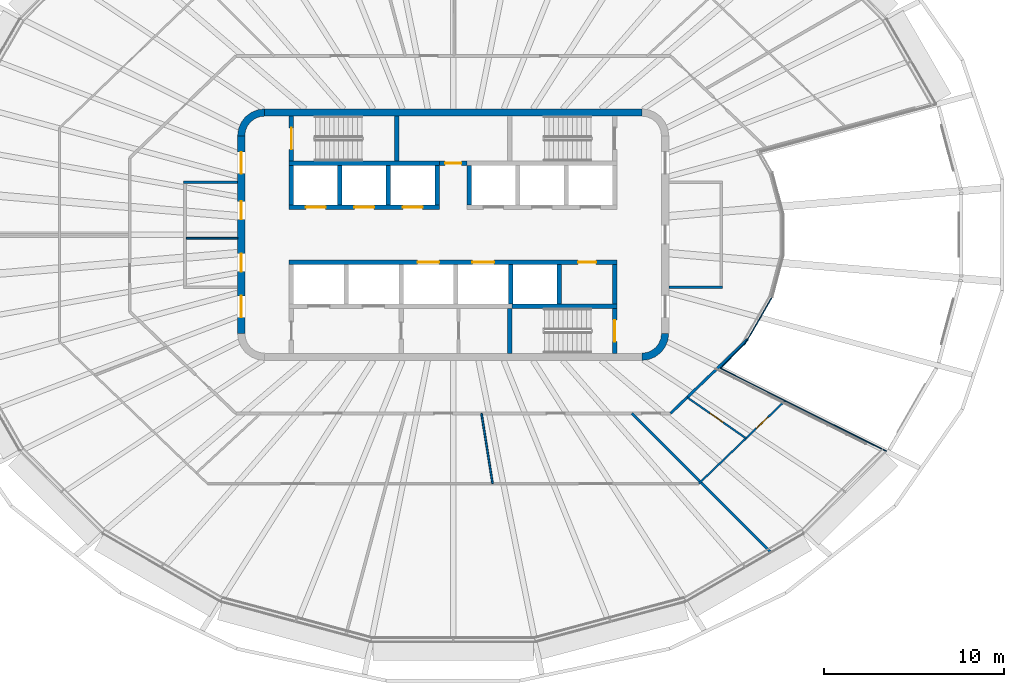
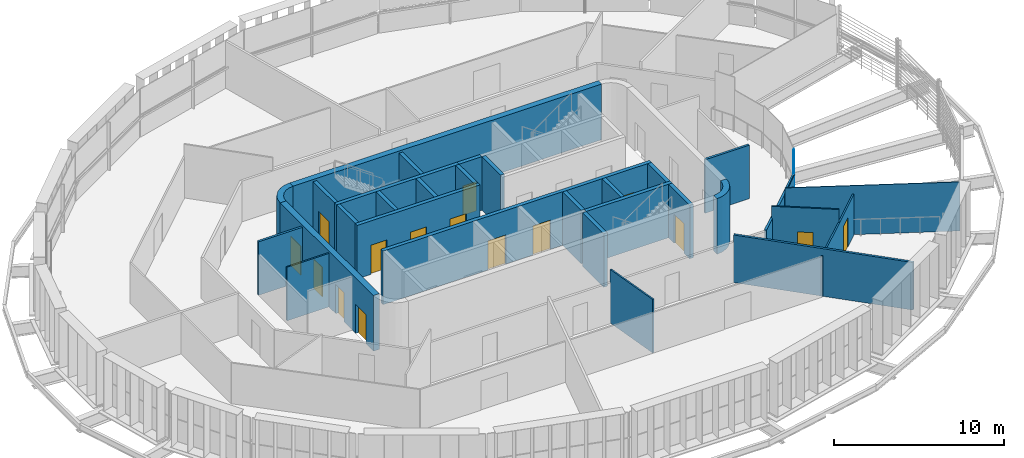
# One storey, part 9 of 17: 32 walls, 15 doors, 15 openings.
"""IFC4 building model written with IfcOpenShell, lengths in metres."""

from ifc_helpers import new_model, si_unit, direction, frame, frame_2d, origin, place, context, subcontext, project, spatial, polyline, rectangle, outline, extrude, material, layer, layer_set, type_object, element, fill, save


model = new_model("IFC4")

# Units and contexts
model_context = context("Model", 3, precision=1e-05, world=origin(), true_north=direction((0.0, 1.0)))
body_context = subcontext(model_context, "Body", "Model", "MODEL_VIEW")
ifc_project = project(units=[si_unit("LENGTHUNIT", "METRE"), si_unit("AREAUNIT", "SQUARE_METRE"), si_unit("VOLUMEUNIT", "CUBIC_METRE"), si_unit("PLANEANGLEUNIT", "RADIAN"), si_unit("MASSUNIT", "GRAM", prefix="KILO")], contexts=[model_context])

# Site, building, storey
site_placement = place(None, origin())
site = spatial("IfcSite", under=ifc_project, at=site_placement, CompositionType="ELEMENT")
building_placement = place(site_placement, origin())
building = spatial("IfcBuilding", under=site, at=building_placement, Name="Sahrelin Media Tower", CompositionType="ELEMENT")
storey_placement = place(building_placement, frame((0.0, 0.0, 291.0)))
storey = spatial("IfcBuildingStorey", under=building, at=storey_placement, Name="L64", CompositionType="ELEMENT", Elevation=291.0)

# Wall
ifc_material_1 = material(Name="Concrete C60/75", Category="concrete")
ifc_layer_1 = layer(ifc_material_1, 0.39990234375)
ifc_layer_set_1 = layer_set([ifc_layer_1], Name="Core wall 400")
wall_type_1 = type_object("IfcWallType", Name="Core wall 400", PredefinedType="SHEAR", material=ifc_layer_set_1)
wall_1_placement = place(storey_placement, frame((-10.5, 6.800048828125, 0.0), z_axis=(0.0, 0.0, 1.0), x_axis=(1.0, 0.0, 0.0)))
element("IfcWall", 1, at=wall_1_placement, inside=storey, type_object=wall_type_1, Name="Core wall N L64", PredefinedType="SHEAR", context=body_context, shape_type="SweptSolid", body=[
    extrude(rectangle(XDim=21.0, YDim=0.39990234375, at=frame_2d((10.5, 0.0))), origin(), (0.0, 0.0, 1.0), 4.0),
])

# Wall, openings, doors
wall_2_placement = place(storey_placement, frame((-11.800048828125, -5.5, 0.0), z_axis=(0.0, 0.0, 1.0), x_axis=(0.0, 1.0, 0.0)))
wall_2 = element("IfcWall", 2, at=wall_2_placement, inside=storey, type_object=wall_type_1, Name="Core wall W L64", PredefinedType="SHEAR", context=body_context, shape_type="SweptSolid", body=[
    extrude(rectangle(XDim=11.0, YDim=0.39990234375, at=frame_2d((5.5, 0.0))), origin(), (0.0, 0.0, 1.0), 4.0),
])
opening_1_placement = place(wall_2_placement, frame((3.449951171875, 0.0, 0.0)))
opening_1 = element("IfcOpeningElement", 3, at=opening_1_placement, cuts=wall_2, Name="Opening L64-D09", PredefinedType="OPENING", context=body_context, shape_type="SweptSolid", body=[
    extrude(rectangle(XDim=1.0, YDim=2.10009765625, at=frame_2d((0.5, 1.050048828125))), frame((0.0, 0.199951171875, 0.0), z_axis=(0.0, -1.0, 0.0), x_axis=(1.0, 0.0, 0.0)), (0.0, 0.0, 1.0), 0.39990234375),
])
opening_2_placement = place(wall_2_placement, frame((6.35009765625, 0.0, 0.0)))
opening_2 = element("IfcOpeningElement", 4, at=opening_2_placement, cuts=wall_2, Name="Opening L64-D10", PredefinedType="OPENING", context=body_context, shape_type="SweptSolid", body=[
    extrude(rectangle(XDim=1.0, YDim=2.10009765625, at=frame_2d((0.5, 1.050048828125))), frame((0.0, 0.199951171875, 0.0), z_axis=(0.0, -1.0, 0.0), x_axis=(1.0, 0.0, 0.0)), (0.0, 0.0, 1.0), 0.39990234375),
])
opening_3_placement = place(wall_2_placement, frame((0.89990234375, 0.0, 0.0)))
opening_3 = element("IfcOpeningElement", 5, at=opening_3_placement, cuts=wall_2, Name="Opening L64-D12", PredefinedType="OPENING", context=body_context, shape_type="SweptSolid", body=[
    extrude(rectangle(XDim=1.199951171875, YDim=2.10009765625, at=frame_2d((0.60009765625, 1.050048828125))), frame((0.0, 0.199951171875, 0.0), z_axis=(0.0, -1.0, 0.0), x_axis=(1.0, 0.0, 0.0)), (0.0, 0.0, 1.0), 0.39990234375),
])
opening_4_placement = place(wall_2_placement, frame((8.89990234375, 0.0, 0.0)))
opening_4 = element("IfcOpeningElement", 6, at=opening_4_placement, cuts=wall_2, Name="Opening L64-D13", PredefinedType="OPENING", context=body_context, shape_type="SweptSolid", body=[
    extrude(rectangle(XDim=1.199951171875, YDim=2.10009765625, at=frame_2d((0.60009765625, 1.050048828125))), frame((0.0, 0.199951171875, 0.0), z_axis=(0.0, -1.0, 0.0), x_axis=(1.0, 0.0, 0.0)), (0.0, 0.0, 1.0), 0.39990234375),
])
ifc_material_2 = material(Name="Steel fire door leaf", Category="steel")
door_type_1 = type_object("IfcDoorType", Name="Fire door 1000 x 2100 EI 60", OperationType="NOTDEFINED", PredefinedType="DOOR", material=ifc_material_2)
door_1_placement = place(opening_1_placement, origin())
door_1 = element("IfcDoor", 7, at=door_1_placement, inside=storey, type_object=door_type_1, Name="Core room door", OperationType="SINGLE_SWING_RIGHT", OverallHeight=2.10009765625, OverallWidth=1.0, PredefinedType="DOOR", context=body_context, shape_type="SweptSolid", body=[
    extrude(rectangle(XDim=1.0, YDim=2.10009765625, at=frame_2d((0.5, 1.050048828125))), frame((0.0, 0.02490234375, 0.0), z_axis=(0.0, -1.0, 0.0), x_axis=(1.0, 0.0, 0.0)), (0.0, 0.0, 1.0), 0.050048828125),
])
fill(opening_1, door_1)
door_2_placement = place(opening_2_placement, origin())
door_2 = element("IfcDoor", 8, at=door_2_placement, inside=storey, type_object=door_type_1, Name="Core room door", OperationType="SINGLE_SWING_RIGHT", OverallHeight=2.10009765625, OverallWidth=1.0, PredefinedType="DOOR", context=body_context, shape_type="SweptSolid", body=[
    extrude(rectangle(XDim=1.0, YDim=2.10009765625, at=frame_2d((0.5, 1.050048828125))), frame((0.0, 0.02490234375, 0.0), z_axis=(0.0, -1.0, 0.0), x_axis=(1.0, 0.0, 0.0)), (0.0, 0.0, 1.0), 0.050048828125),
])
fill(opening_2, door_2)
door_type_2 = type_object("IfcDoorType", Name="Lobby door 1200 x 2100 EI 60", OperationType="NOTDEFINED", PredefinedType="DOOR", material=ifc_material_2)
door_3_placement = place(opening_3_placement, origin())
door_3 = element("IfcDoor", 9, at=door_3_placement, inside=storey, type_object=door_type_2, Name="Lobby door", OperationType="SINGLE_SWING_LEFT", OverallHeight=2.10009765625, OverallWidth=1.199951171875, PredefinedType="DOOR", context=body_context, shape_type="SweptSolid", body=[
    extrude(rectangle(XDim=1.199951171875, YDim=2.10009765625, at=frame_2d((0.60009765625, 1.050048828125))), frame((0.0, 0.02490234375, 0.0), z_axis=(0.0, -1.0, 0.0), x_axis=(1.0, 0.0, 0.0)), (0.0, 0.0, 1.0), 0.050048828125),
])
fill(opening_3, door_3)
door_4_placement = place(opening_4_placement, origin())
door_4 = element("IfcDoor", 10, at=door_4_placement, inside=storey, type_object=door_type_2, Name="Lobby door", OperationType="SINGLE_SWING_LEFT", OverallHeight=2.10009765625, OverallWidth=1.199951171875, PredefinedType="DOOR", context=body_context, shape_type="SweptSolid", body=[
    extrude(rectangle(XDim=1.199951171875, YDim=2.10009765625, at=frame_2d((0.60009765625, 1.050048828125))), frame((0.0, 0.02490234375, 0.0), z_axis=(0.0, -1.0, 0.0), x_axis=(1.0, 0.0, 0.0)), (0.0, 0.0, 1.0), 0.050048828125),
])
fill(opening_4, door_4)

# Walls
placement = place(storey_placement, origin())
element("IfcWall", 11, at=placement, inside=storey, type_object=wall_type_1, Name="Core wall corner NW L64", PredefinedType="SHEAR", context=body_context, shape_type="SweptSolid", body=[
    extrude(outline(polyline([(-12.0, 5.5), (-11.596435546875, 5.5), (-11.55908203125, 5.78369140625), (-11.44970703125, 6.04833984375), (-11.275390625, 6.275390625), (-11.04833984375, 6.44970703125), (-10.78369140625, 6.55908203125), (-10.5, 6.596435546875), (-10.5, 7.0), (-10.88818359375, 6.948974609375), (-11.25, 6.799072265625), (-11.560791015625, 6.560791015625), (-11.799072265625, 6.25), (-11.948974609375, 5.88818359375), (-12.0, 5.5)])), origin(), (0.0, 0.0, 1.0), 4.0),
])
element("IfcWall", 12, at=placement, inside=storey, type_object=wall_type_1, Name="Core wall corner SE L64", PredefinedType="SHEAR", context=body_context, shape_type="SweptSolid", body=[
    extrude(outline(polyline([(12.0, -5.5), (11.596435546875, -5.5), (11.55908203125, -5.78369140625), (11.44970703125, -6.04833984375), (11.275390625, -6.275390625), (11.04833984375, -6.44970703125), (10.78369140625, -6.55908203125), (10.5, -6.596435546875), (10.5, -7.0), (10.88818359375, -6.948974609375), (11.25, -6.799072265625), (11.560791015625, -6.560791015625), (11.799072265625, -6.25), (11.948974609375, -5.88818359375), (12.0, -5.5)])), origin(), (0.0, 0.0, 1.0), 4.0),
])

# Wall, opening, door
ifc_material_3 = material(Name="Fire-rated gypsum board partition")
ifc_layer_2 = layer(ifc_material_3, 0.25)
ifc_layer_set_2 = layer_set([ifc_layer_2], Name="Fire-rated lobby wall 250")
wall_type_2 = type_object("IfcWallType", Name="Fire-rated lobby wall 250", PredefinedType="PARTITIONING", material=ifc_layer_set_2)
wall_5_placement = place(storey_placement, frame((-0.77490234375, 3.97509765625, 0.0), z_axis=(0.0, 0.0, 1.0), x_axis=(1.0, 0.0, 0.0)))
wall_5 = element("IfcWall", 13, at=wall_5_placement, inside=storey, type_object=wall_type_2, Name="Core lobby wall", PredefinedType="PARTITIONING", context=body_context, shape_type="SweptSolid", body=[
    extrude(rectangle(XDim=1.5498046875, YDim=0.25, at=frame_2d((0.77490234375, 0.0))), origin(), (0.0, 0.0, 1.0), 3.85009765625),
])
opening_5_placement = place(wall_5_placement, frame((0.324951171875, 0.0, 0.0)))
opening_5 = element("IfcOpeningElement", 14, at=opening_5_placement, cuts=wall_5, Name="Opening L64-D06", PredefinedType="OPENING", context=body_context, shape_type="SweptSolid", body=[
    extrude(rectangle(XDim=0.89990234375, YDim=2.10009765625, at=frame_2d((0.449951171875, 1.050048828125))), frame((0.0, 0.125, 0.0), z_axis=(0.0, -1.0, 0.0), x_axis=(1.0, 0.0, 0.0)), (0.0, 0.0, 1.0), 0.25),
])
door_type_3 = type_object("IfcDoorType", Name="Riser door 900 x 2100 EI 120", OperationType="NOTDEFINED", PredefinedType="DOOR", material=ifc_material_2)
door_5_placement = place(opening_5_placement, origin())
door_5 = element("IfcDoor", 15, at=door_5_placement, inside=storey, type_object=door_type_3, Name="Core room door", OperationType="SINGLE_SWING_LEFT", OverallHeight=2.10009765625, OverallWidth=0.89990234375, PredefinedType="DOOR", context=body_context, shape_type="SweptSolid", body=[
    extrude(rectangle(XDim=0.89990234375, YDim=2.10009765625, at=frame_2d((0.449951171875, 1.050048828125))), frame((0.0, 0.02490234375, 0.0), z_axis=(0.0, -1.0, 0.0), x_axis=(1.0, 0.0, 0.0)), (0.0, 0.0, 1.0), 0.050048828125),
])
fill(opening_5, door_5)

# Walls
ifc_layer_3 = layer(ifc_material_3, 0.10009765625)
ifc_layer_set_3 = layer_set([ifc_layer_3], Name="Fire-rated partition 100")
wall_type_3 = type_object("IfcWallType", Name="Fire-rated partition 100", PredefinedType="PARTITIONING", material=ifc_layer_set_3)
wall_6_placement = place(storey_placement, frame((-14.85009765625, -0.199951171875, 0.0), z_axis=(0.0, 0.0, 1.0), x_axis=(1.0, 0.0, 0.0)))
element("IfcWall", 16, at=wall_6_placement, inside=storey, type_object=wall_type_3, Name="Core room partition", PredefinedType="PARTITIONING", context=body_context, shape_type="SweptSolid", body=[
    extrude(rectangle(XDim=2.85009765625, YDim=0.10009765625, at=frame_2d((1.425048828125, 0.0))), origin(), (0.0, 0.0, 1.0), 3.85009765625),
])
ifc_layer_4 = layer(ifc_material_3, 0.14990234375)
ifc_layer_set_4 = layer_set([ifc_layer_4], Name="Fire-rated partition 150")
wall_type_4 = type_object("IfcWallType", Name="Fire-rated partition 150", PredefinedType="PARTITIONING", material=ifc_layer_set_4)
for number, where, z_axis, x_axis, name in (
    (17, (-15.0, 2.925048828125, 0.0), (0.0, 0.0, 1.0), (1.0, 0.0, 0.0), "Core room fire partition"),
    (18, (12.0, -2.925048828125, 0.0), (0.0, 0.0, 1.0), (1.0, 0.0, 0.0), "Core room fire partition"),
):
    element("IfcWall", number, at=place(storey_placement, frame(where, z_axis=z_axis, x_axis=x_axis)), inside=storey, type_object=wall_type_4, Name=name, PredefinedType="PARTITIONING", context=body_context, shape_type="SweptSolid", body=[
        extrude(rectangle(XDim=3.0, YDim=0.14990234375, at=frame_2d((1.5, 0.0))), origin(), (0.0, 0.0, 1.0), 3.85009765625),
    ])
wall_7_placement = place(storey_placement, frame((9.948974609375, -9.948974609375, 0.0), z_axis=(0.0, 0.0, 1.0), x_axis=(0.707106781187, -0.707106781187, 0.0)))
element("IfcWall", 19, at=wall_7_placement, inside=storey, type_object=wall_type_4, Name="Wall", PredefinedType="PARTITIONING", context=body_context, shape_type="SweptSolid", body=[
    extrude(rectangle(XDim=10.9501953125, YDim=0.14990234375, at=frame_2d((5.47509765625, 0.0))), origin(), (0.0, 0.0, 1.0), 3.423583984375),
])
wall_8_placement = place(storey_placement, frame((12.094970703125, -9.948974609375, 0.0), z_axis=(0.0, 0.0, 1.0), x_axis=(0.721166452556, 0.692761826105, 0.0)))
element("IfcWall", 20, at=wall_8_placement, inside=storey, type_object=wall_type_4, Name="Wall", PredefinedType="PARTITIONING", context=body_context, shape_type="SweptSolid", body=[
    extrude(rectangle(XDim=5.965087890625, YDim=0.14990234375, at=frame_2d((2.982421875, 0.0))), origin(), (0.0, 0.0, 1.0), 2.9951171875),
])
ifc_material_4 = material(Name="Clear glass", Category="glass")
ifc_layer_5 = layer(ifc_material_4, 0.050048828125)
ifc_layer_set_5 = layer_set([ifc_layer_5], Name="Glazed partition 50")
wall_type_5 = type_object("IfcWallType", Name="Glazed partition 50", PredefinedType="PARTITIONING", material=ifc_layer_set_5)
wall_9_placement = place(storey_placement, frame((14.87109375, -7.43798828125, 0.0), z_axis=(0.0, 0.0, 1.0), x_axis=(0.894365735238, -0.447336485918, 0.0)))
element("IfcWall", 21, at=wall_9_placement, inside=storey, type_object=wall_type_5, Name="Wall", PredefinedType="PARTITIONING", context=body_context, shape_type="SweptSolid", body=[
    extrude(rectangle(XDim=10.330322265625, YDim=0.050048828125, at=frame_2d((5.1650390625, 0.0))), origin(), (0.0, 0.0, 1.0), 3.526611328125),
])
wall_10_placement = place(storey_placement, frame((14.87109375, -7.43798828125, 0.0), z_axis=(0.0, 0.0, 1.0), x_axis=(0.707106781187, 0.707106781187, 0.0)))
element("IfcWall", 22, at=wall_10_placement, inside=storey, type_object=wall_type_5, Name="Wall", PredefinedType="PARTITIONING", context=body_context, shape_type="SweptSolid", body=[
    extrude(rectangle(XDim=1.9755859375, YDim=0.050048828125, at=frame_2d((0.98779296875, 0.0))), origin(), (0.0, 0.0, 1.0), 3.075927734375),
])
wall_11_placement = place(storey_placement, frame((16.267822265625, -6.041015625, 0.0), z_axis=(0.0, 0.0, 1.0), x_axis=(0.499803184433, 0.86613900549, 0.0)))
element("IfcWall", 23, at=wall_11_placement, inside=storey, type_object=wall_type_5, Name="Wall", PredefinedType="PARTITIONING", context=body_context, shape_type="SweptSolid", body=[
    extrude(rectangle(XDim=2.967041015625, YDim=0.050048828125, at=frame_2d((1.4833984375, 0.0))), origin(), (0.0, 0.0, 1.0), 2.927001953125),
])

# Wall, openings, doors
ifc_layer_6 = layer(ifc_material_1, 0.25)
ifc_layer_set_6 = layer_set([ifc_layer_6], Name="Lift shaft wall 250")
wall_type_6 = type_object("IfcWallType", Name="Lift shaft wall 250", PredefinedType="SOLIDWALL", material=ifc_layer_set_6)
wall_12_placement = place(storey_placement, frame((-9.125, 1.52490234375, 0.0), z_axis=(0.0, 0.0, 1.0), x_axis=(1.0, 0.0, 0.0)))
wall_12 = element("IfcWall", 24, at=wall_12_placement, inside=storey, type_object=wall_type_6, Name="Lift shaft wall", PredefinedType="SOLIDWALL", context=body_context, shape_type="SweptSolid", body=[
    extrude(rectangle(XDim=8.35009765625, YDim=0.25, at=frame_2d((4.175048828125, 0.0))), origin(), (0.0, 0.0, 1.0), 3.85009765625),
])
opening_6_placement = place(wall_12_placement, frame((0.925048828125, 0.0, 0.0)))
opening_6 = element("IfcOpeningElement", 25, at=opening_6_placement, cuts=wall_12, Name="Opening L64-LD-HR1", PredefinedType="OPENING", context=body_context, shape_type="SweptSolid", body=[
    extrude(rectangle(XDim=1.10009765625, YDim=2.10009765625, at=frame_2d((0.550048828125, 1.050048828125))), frame((0.0, 0.125, 0.0), z_axis=(0.0, -1.0, 0.0), x_axis=(1.0, 0.0, 0.0)), (0.0, 0.0, 1.0), 0.25),
])
opening_7_placement = place(wall_12_placement, frame((3.625, 0.0, 0.0)))
opening_7 = element("IfcOpeningElement", 26, at=opening_7_placement, cuts=wall_12, Name="Opening L64-LD-HR2", PredefinedType="OPENING", context=body_context, shape_type="SweptSolid", body=[
    extrude(rectangle(XDim=1.10009765625, YDim=2.10009765625, at=frame_2d((0.550048828125, 1.050048828125))), frame((0.0, 0.125, 0.0), z_axis=(0.0, -1.0, 0.0), x_axis=(1.0, 0.0, 0.0)), (0.0, 0.0, 1.0), 0.25),
])
opening_8_placement = place(wall_12_placement, frame((6.324951171875, 0.0, 0.0)))
opening_8 = element("IfcOpeningElement", 27, at=opening_8_placement, cuts=wall_12, Name="Opening L64-LD-HR3", PredefinedType="OPENING", context=body_context, shape_type="SweptSolid", body=[
    extrude(rectangle(XDim=1.10009765625, YDim=2.10009765625, at=frame_2d((0.550048828125, 1.050048828125))), frame((0.0, 0.125, 0.0), z_axis=(0.0, -1.0, 0.0), x_axis=(1.0, 0.0, 0.0)), (0.0, 0.0, 1.0), 0.25),
])
ifc_material_5 = material(Name="Stainless steel", Category="steel")
door_type_4 = type_object("IfcDoorType", Name="Lift landing door 1100 x 2100 EI 120", OperationType="DOUBLE_DOOR_SLIDING", PredefinedType="DOOR", material=ifc_material_5)
door_6_placement = place(opening_6_placement, origin())
door_6 = element("IfcDoor", 28, at=door_6_placement, inside=storey, type_object=door_type_4, Name="Lift landing door HR1", OperationType="DOUBLE_DOOR_SLIDING", OverallHeight=2.10009765625, OverallWidth=1.10009765625, PredefinedType="DOOR", context=body_context, shape_type="SweptSolid", body=[
    extrude(rectangle(XDim=1.10009765625, YDim=2.10009765625, at=frame_2d((0.550048828125, 1.050048828125))), frame((0.0, 0.02490234375, 0.0), z_axis=(0.0, -1.0, 0.0), x_axis=(1.0, 0.0, 0.0)), (0.0, 0.0, 1.0), 0.050048828125),
])
fill(opening_6, door_6)
door_7_placement = place(opening_7_placement, origin())
door_7 = element("IfcDoor", 29, at=door_7_placement, inside=storey, type_object=door_type_4, Name="Lift landing door HR2", OperationType="DOUBLE_DOOR_SLIDING", OverallHeight=2.10009765625, OverallWidth=1.10009765625, PredefinedType="DOOR", context=body_context, shape_type="SweptSolid", body=[
    extrude(rectangle(XDim=1.10009765625, YDim=2.10009765625, at=frame_2d((0.550048828125, 1.050048828125))), frame((0.0, 0.02490234375, 0.0), z_axis=(0.0, -1.0, 0.0), x_axis=(1.0, 0.0, 0.0)), (0.0, 0.0, 1.0), 0.050048828125),
])
fill(opening_7, door_7)
door_8_placement = place(opening_8_placement, origin())
door_8 = element("IfcDoor", 30, at=door_8_placement, inside=storey, type_object=door_type_4, Name="Lift landing door HR3", OperationType="DOUBLE_DOOR_SLIDING", OverallHeight=2.10009765625, OverallWidth=1.10009765625, PredefinedType="DOOR", context=body_context, shape_type="SweptSolid", body=[
    extrude(rectangle(XDim=1.10009765625, YDim=2.10009765625, at=frame_2d((0.550048828125, 1.050048828125))), frame((0.0, 0.02490234375, 0.0), z_axis=(0.0, -1.0, 0.0), x_axis=(1.0, 0.0, 0.0)), (0.0, 0.0, 1.0), 0.050048828125),
])
fill(opening_8, door_8)

# Walls
wall_13_placement = place(storey_placement, frame((-9.125, 3.97509765625, 0.0), z_axis=(0.0, 0.0, 1.0), x_axis=(1.0, 0.0, 0.0)))
element("IfcWall", 31, at=wall_13_placement, inside=storey, type_object=wall_type_6, Name="Lift shaft wall", PredefinedType="SOLIDWALL", context=body_context, shape_type="SweptSolid", body=[
    extrude(rectangle(XDim=8.35009765625, YDim=0.25, at=frame_2d((4.175048828125, 0.0))), origin(), (0.0, 0.0, 1.0), 3.85009765625),
])
for number, where, z_axis, x_axis, name in (
    (32, (-9.0, 1.64990234375, 0.0), (0.0, 0.0, 1.0), (0.0, 1.0, 0.0), "Lift shaft wall"),
    (33, (-6.300048828125, 1.64990234375, 0.0), (0.0, 0.0, 1.0), (0.0, 1.0, 0.0), "Lift shaft wall"),
    (34, (-3.60009765625, 1.64990234375, 0.0), (0.0, 0.0, 1.0), (0.0, 1.0, 0.0), "Lift shaft wall"),
    (35, (-0.89990234375, 1.64990234375, 0.0), (0.0, 0.0, 1.0), (0.0, 1.0, 0.0), "Lift shaft wall"),
    (36, (0.89990234375, 1.64990234375, 0.0), (0.0, 0.0, 1.0), (0.0, 1.0, 0.0), "Lift shaft wall"),
):
    element("IfcWall", number, at=place(storey_placement, frame(where, z_axis=z_axis, x_axis=x_axis)), inside=storey, type_object=wall_type_6, Name=name, PredefinedType="SOLIDWALL", context=body_context, shape_type="SweptSolid", body=[
        extrude(rectangle(XDim=2.2001953125, YDim=0.25, at=frame_2d((1.10009765625, 0.0))), origin(), (0.0, 0.0, 1.0), 3.85009765625),
    ])

# Wall, openings, doors
wall_14_placement = place(storey_placement, frame((-9.125, -1.52490234375, 0.0), z_axis=(0.0, 0.0, 1.0), x_axis=(1.0, 0.0, 0.0)))
wall_14 = element("IfcWall", 37, at=wall_14_placement, inside=storey, type_object=wall_type_6, Name="Lift shaft wall", PredefinedType="SOLIDWALL", context=body_context, shape_type="SweptSolid", body=[
    extrude(rectangle(XDim=18.25, YDim=0.25, at=frame_2d((9.125, 0.0))), origin(), (0.0, 0.0, 1.0), 3.85009765625),
])
opening_9_placement = place(wall_14_placement, frame((7.14990234375, 0.0, 0.0)))
opening_9 = element("IfcOpeningElement", 38, at=opening_9_placement, cuts=wall_14, Name="Opening L64-LD-SV1", PredefinedType="OPENING", context=body_context, shape_type="SweptSolid", body=[
    extrude(rectangle(XDim=1.199951171875, YDim=2.10009765625, at=frame_2d((0.60009765625, 1.050048828125))), frame((0.0, 0.125, 0.0), z_axis=(0.0, -1.0, 0.0), x_axis=(1.0, 0.0, 0.0)), (0.0, 0.0, 1.0), 0.25),
])
opening_10_placement = place(wall_14_placement, frame((10.199951171875, 0.0, 0.0)))
opening_10 = element("IfcOpeningElement", 39, at=opening_10_placement, cuts=wall_14, Name="Opening L64-LD-SV2", PredefinedType="OPENING", context=body_context, shape_type="SweptSolid", body=[
    extrude(rectangle(XDim=1.199951171875, YDim=2.10009765625, at=frame_2d((0.60009765625, 1.050048828125))), frame((0.0, 0.125, 0.0), z_axis=(0.0, -1.0, 0.0), x_axis=(1.0, 0.0, 0.0)), (0.0, 0.0, 1.0), 0.25),
])
opening_11_placement = place(wall_14_placement, frame((16.074951171875, 0.0, 0.0)))
opening_11 = element("IfcOpeningElement", 40, at=opening_11_placement, cuts=wall_14, Name="Opening L64-D08", PredefinedType="OPENING", context=body_context, shape_type="SweptSolid", body=[
    extrude(rectangle(XDim=1.0, YDim=2.10009765625, at=frame_2d((0.5, 1.050048828125))), frame((0.0, 0.125, 0.0), z_axis=(0.0, -1.0, 0.0), x_axis=(1.0, 0.0, 0.0)), (0.0, 0.0, 1.0), 0.25),
])
door_9_placement = place(opening_11_placement, origin())
door_9 = element("IfcDoor", 41, at=door_9_placement, inside=storey, type_object=door_type_1, Name="Core room door", OperationType="SINGLE_SWING_RIGHT", OverallHeight=2.10009765625, OverallWidth=1.0, PredefinedType="DOOR", context=body_context, shape_type="SweptSolid", body=[
    extrude(rectangle(XDim=1.0, YDim=2.10009765625, at=frame_2d((0.5, 1.050048828125))), frame((0.0, 0.02490234375, 0.0), z_axis=(0.0, -1.0, 0.0), x_axis=(1.0, 0.0, 0.0)), (0.0, 0.0, 1.0), 0.050048828125),
])
fill(opening_11, door_9)
door_type_5 = type_object("IfcDoorType", Name="Lift landing door 1200 x 2100 EI 120", OperationType="DOUBLE_DOOR_SLIDING", PredefinedType="DOOR", material=ifc_material_5)
door_10_placement = place(opening_9_placement, origin())
door_10 = element("IfcDoor", 42, at=door_10_placement, inside=storey, type_object=door_type_5, Name="Lift landing door SV1", OperationType="DOUBLE_DOOR_SLIDING", OverallHeight=2.10009765625, OverallWidth=1.199951171875, PredefinedType="DOOR", context=body_context, shape_type="SweptSolid", body=[
    extrude(rectangle(XDim=1.199951171875, YDim=2.10009765625, at=frame_2d((0.60009765625, 1.050048828125))), frame((0.0, 0.02490234375, 0.0), z_axis=(0.0, -1.0, 0.0), x_axis=(1.0, 0.0, 0.0)), (0.0, 0.0, 1.0), 0.050048828125),
])
fill(opening_9, door_10)
door_11_placement = place(opening_10_placement, origin())
door_11 = element("IfcDoor", 43, at=door_11_placement, inside=storey, type_object=door_type_5, Name="Lift landing door SV2", OperationType="DOUBLE_DOOR_SLIDING", OverallHeight=2.10009765625, OverallWidth=1.199951171875, PredefinedType="DOOR", context=body_context, shape_type="SweptSolid", body=[
    extrude(rectangle(XDim=1.199951171875, YDim=2.10009765625, at=frame_2d((0.60009765625, 1.050048828125))), frame((0.0, 0.02490234375, 0.0), z_axis=(0.0, -1.0, 0.0), x_axis=(1.0, 0.0, 0.0)), (0.0, 0.0, 1.0), 0.050048828125),
])
fill(opening_10, door_11)

# Walls
wall_15_placement = place(storey_placement, frame((3.27490234375, -3.97509765625, 0.0), z_axis=(0.0, 0.0, 1.0), x_axis=(1.0, 0.0, 0.0)))
element("IfcWall", 44, at=wall_15_placement, inside=storey, type_object=wall_type_6, Name="Lift shaft wall", PredefinedType="SOLIDWALL", context=body_context, shape_type="SweptSolid", body=[
    extrude(rectangle(XDim=5.85009765625, YDim=0.25, at=frame_2d((2.925048828125, 0.0))), origin(), (0.0, 0.0, 1.0), 3.85009765625),
])
for number, where, z_axis, x_axis, name in (
    (45, (3.199951171875, -3.85009765625, 0.0), (0.0, 0.0, 1.0), (0.0, 1.0, 0.0), "Lift shaft wall"),
    (46, (5.89990234375, -3.85009765625, 0.0), (0.0, 0.0, 1.0), (0.0, 1.0, 0.0), "Lift shaft wall"),
    (47, (9.0, -3.85009765625, 0.0), (0.0, 0.0, 1.0), (0.0, 1.0, 0.0), "Lift shaft wall"),
):
    element("IfcWall", number, at=place(storey_placement, frame(where, z_axis=z_axis, x_axis=x_axis)), inside=storey, type_object=wall_type_6, Name=name, PredefinedType="SOLIDWALL", context=body_context, shape_type="SweptSolid", body=[
        extrude(rectangle(XDim=2.2001953125, YDim=0.25, at=frame_2d((1.10009765625, 0.0))), origin(), (0.0, 0.0, 1.0), 3.85009765625),
    ])
ifc_material_6 = material(Name="Gypsum board partition")
ifc_layer_7 = layer(ifc_material_6, 0.10009765625)
ifc_layer_set_7 = layer_set([ifc_layer_7], Name="Partition 100")
wall_type_7 = type_object("IfcWallType", Name="Partition 100", PredefinedType="PARTITIONING", material=ifc_layer_set_7)
wall_16_placement = place(storey_placement, frame((1.575927734375, -9.948974609375, 0.0), z_axis=(0.0, 0.0, 1.0), x_axis=(0.156402769976, -0.987693360079, 0.0)))
element("IfcWall", 48, at=wall_16_placement, inside=storey, type_object=wall_type_7, Name="Wall", PredefinedType="PARTITIONING", context=body_context, shape_type="SweptSolid", body=[
    extrude(rectangle(XDim=3.958740234375, YDim=0.10009765625, at=frame_2d((1.9794921875, 0.0))), origin(), (0.0, 0.0, 1.0), 3.85009765625),
])

# Wall, opening, door
wall_17_placement = place(storey_placement, frame((13.02392578125, -9.055908203125, 0.0), z_axis=(0.0, 0.0, 1.0), x_axis=(0.820973820669, -0.570965835909, 0.0)))
wall_17 = element("IfcWall", 49, at=wall_17_placement, inside=storey, type_object=wall_type_7, Name="Wall", PredefinedType="PARTITIONING", context=body_context, shape_type="SweptSolid", body=[
    extrude(rectangle(XDim=3.988037109375, YDim=0.10009765625, at=frame_2d((1.994140625, 0.0))), origin(), (0.0, 0.0, 1.0), 3.85009765625),
])
opening_12_placement = place(wall_17_placement, frame((1.5439453125, 0.0, 0.0)))
opening_12 = element("IfcOpeningElement", 50, at=opening_12_placement, cuts=wall_17, Name="Opening L64-D19", PredefinedType="OPENING", context=body_context, shape_type="SweptSolid", body=[
    extrude(rectangle(XDim=0.89990234375, YDim=2.10009765625, at=frame_2d((0.449951171875, 1.050048828125))), frame((0.0, 0.050048828125, 0.0), z_axis=(0.0, -1.0, 0.0), x_axis=(1.0, 0.0, 0.0)), (0.0, 0.0, 1.0), 0.10009765625),
])
ifc_material_7 = material(Name="Timber door leaf", Category="wood")
door_type_6 = type_object("IfcDoorType", Name="Single door 900 x 2100", OperationType="NOTDEFINED", PredefinedType="DOOR", material=ifc_material_7)
door_12_placement = place(opening_12_placement, origin())
door_12 = element("IfcDoor", 51, at=door_12_placement, inside=storey, type_object=door_type_6, Name="Single door", OperationType="SINGLE_SWING_LEFT", OverallHeight=2.10009765625, OverallWidth=0.89990234375, PredefinedType="DOOR", context=body_context, shape_type="SweptSolid", body=[
    extrude(rectangle(XDim=0.89990234375, YDim=2.10009765625, at=frame_2d((0.449951171875, 1.050048828125))), frame((0.0, 0.02490234375, 0.0), z_axis=(0.0, -1.0, 0.0), x_axis=(1.0, 0.0, 0.0)), (0.0, 0.0, 1.0), 0.050048828125),
])
fill(opening_12, door_12)

wall_18_placement = place(storey_placement, frame((13.6689453125, -13.85888671875, 0.0), z_axis=(0.0, 0.0, 1.0), x_axis=(0.721426111337, 0.692491419356, 0.0)))
wall_18 = element("IfcWall", 52, at=wall_18_placement, inside=storey, type_object=wall_type_7, Name="Wall", PredefinedType="PARTITIONING", context=body_context, shape_type="SweptSolid", body=[
    extrude(rectangle(XDim=6.665771484375, YDim=0.10009765625, at=frame_2d((3.3330078125, 0.0))), origin(), (0.0, 0.0, 1.0), 2.927001953125),
])
opening_13_placement = place(wall_18_placement, frame((4.4443359375, 0.0, 0.0)))
opening_13 = element("IfcOpeningElement", 53, at=opening_13_placement, cuts=wall_18, Name="Opening L64-D20", PredefinedType="OPENING", context=body_context, shape_type="SweptSolid", body=[
    extrude(rectangle(XDim=0.89990234375, YDim=2.10009765625, at=frame_2d((0.449951171875, 1.050048828125))), frame((0.0, 0.050048828125, 0.0), z_axis=(0.0, -1.0, 0.0), x_axis=(1.0, 0.0, 0.0)), (0.0, 0.0, 1.0), 0.10009765625),
])
door_13_placement = place(opening_13_placement, origin())
door_13 = element("IfcDoor", 54, at=door_13_placement, inside=storey, type_object=door_type_6, Name="Single door", OperationType="SINGLE_SWING_LEFT", OverallHeight=2.10009765625, OverallWidth=0.89990234375, PredefinedType="DOOR", context=body_context, shape_type="SweptSolid", body=[
    extrude(rectangle(XDim=0.89990234375, YDim=2.10009765625, at=frame_2d((0.449951171875, 1.050048828125))), frame((0.0, 0.02490234375, 0.0), z_axis=(0.0, -1.0, 0.0), x_axis=(1.0, 0.0, 0.0)), (0.0, 0.0, 1.0), 0.050048828125),
])
fill(opening_13, door_13)

ifc_layer_8 = layer(ifc_material_1, 0.25)
ifc_layer_set_8 = layer_set([ifc_layer_8], Name="Stair enclosure wall 250")
wall_type_8 = type_object("IfcWallType", Name="Stair enclosure wall 250", PredefinedType="SOLIDWALL", material=ifc_layer_set_8)
wall_19_placement = place(storey_placement, frame((-9.0, 4.10009765625, 0.0), z_axis=(0.0, 0.0, 1.0), x_axis=(0.0, 1.0, 0.0)))
wall_19 = element("IfcWall", 55, at=wall_19_placement, inside=storey, type_object=wall_type_8, Name="Stair enclosure wall", PredefinedType="SOLIDWALL", context=body_context, shape_type="SweptSolid", body=[
    extrude(rectangle(XDim=2.5, YDim=0.25, at=frame_2d((1.25, 0.0))), origin(), (0.0, 0.0, 1.0), 3.85009765625),
])
opening_14_placement = place(wall_19_placement, frame((0.64990234375, 0.0, 0.0)))
opening_14 = element("IfcOpeningElement", 56, at=opening_14_placement, cuts=wall_19, Name="Opening L64-D01", PredefinedType="OPENING", context=body_context, shape_type="SweptSolid", body=[
    extrude(rectangle(XDim=1.199951171875, YDim=2.10009765625, at=frame_2d((0.60009765625, 1.050048828125))), frame((0.0, 0.125, 0.0), z_axis=(0.0, -1.0, 0.0), x_axis=(1.0, 0.0, 0.0)), (0.0, 0.0, 1.0), 0.25),
])
door_type_7 = type_object("IfcDoorType", Name="Stair door 1200 x 2100 EI 120", OperationType="NOTDEFINED", PredefinedType="DOOR", material=ifc_material_2)
door_14_placement = place(opening_14_placement, origin())
door_14 = element("IfcDoor", 57, at=door_14_placement, inside=storey, type_object=door_type_7, Name="Stair door ST1", OperationType="SINGLE_SWING_RIGHT", OverallHeight=2.10009765625, OverallWidth=1.199951171875, PredefinedType="DOOR", context=body_context, shape_type="SweptSolid", body=[
    extrude(rectangle(XDim=1.199951171875, YDim=2.10009765625, at=frame_2d((0.60009765625, 1.050048828125))), frame((0.0, 0.02490234375, 0.0), z_axis=(0.0, -1.0, 0.0), x_axis=(1.0, 0.0, 0.0)), (0.0, 0.0, 1.0), 0.050048828125),
])
fill(opening_14, door_14)

wall_20_placement = place(storey_placement, frame((9.0, -6.60009765625, 0.0), z_axis=(0.0, 0.0, 1.0), x_axis=(0.0, 1.0, 0.0)))
wall_20 = element("IfcWall", 58, at=wall_20_placement, inside=storey, type_object=wall_type_8, Name="Stair enclosure wall", PredefinedType="SOLIDWALL", context=body_context, shape_type="SweptSolid", body=[
    extrude(rectangle(XDim=2.5, YDim=0.25, at=frame_2d((1.25, 0.0))), origin(), (0.0, 0.0, 1.0), 3.85009765625),
])
opening_15_placement = place(wall_20_placement, frame((0.64990234375, 0.0, 0.0)))
opening_15 = element("IfcOpeningElement", 59, at=opening_15_placement, cuts=wall_20, Name="Opening L64-D03", PredefinedType="OPENING", context=body_context, shape_type="SweptSolid", body=[
    extrude(rectangle(XDim=1.199951171875, YDim=2.10009765625, at=frame_2d((0.60009765625, 1.050048828125))), frame((0.0, 0.125, 0.0), z_axis=(0.0, -1.0, 0.0), x_axis=(1.0, 0.0, 0.0)), (0.0, 0.0, 1.0), 0.25),
])
door_15_placement = place(opening_15_placement, origin())
door_15 = element("IfcDoor", 60, at=door_15_placement, inside=storey, type_object=door_type_7, Name="Stair door ST2", OperationType="SINGLE_SWING_LEFT", OverallHeight=2.10009765625, OverallWidth=1.199951171875, PredefinedType="DOOR", context=body_context, shape_type="SweptSolid", body=[
    extrude(rectangle(XDim=1.199951171875, YDim=2.10009765625, at=frame_2d((0.60009765625, 1.050048828125))), frame((0.0, 0.02490234375, 0.0), z_axis=(0.0, -1.0, 0.0), x_axis=(1.0, 0.0, 0.0)), (0.0, 0.0, 1.0), 0.050048828125),
])
fill(opening_15, door_15)

# Walls
for number, where, z_axis, x_axis, name in (
    (61, (-3.14990234375, 4.10009765625, 0.0), (0.0, 0.0, 1.0), (0.0, 1.0, 0.0), "Stair enclosure wall"),
    (62, (3.14990234375, -6.60009765625, 0.0), (0.0, 0.0, 1.0), (0.0, 1.0, 0.0), "Stair enclosure wall"),
):
    element("IfcWall", number, at=place(storey_placement, frame(where, z_axis=z_axis, x_axis=x_axis)), inside=storey, type_object=wall_type_8, Name=name, PredefinedType="SOLIDWALL", context=body_context, shape_type="SweptSolid", body=[
        extrude(rectangle(XDim=2.5, YDim=0.25, at=frame_2d((1.25, 0.0))), origin(), (0.0, 0.0, 1.0), 3.85009765625),
    ])

save(model, "model.ifc")
